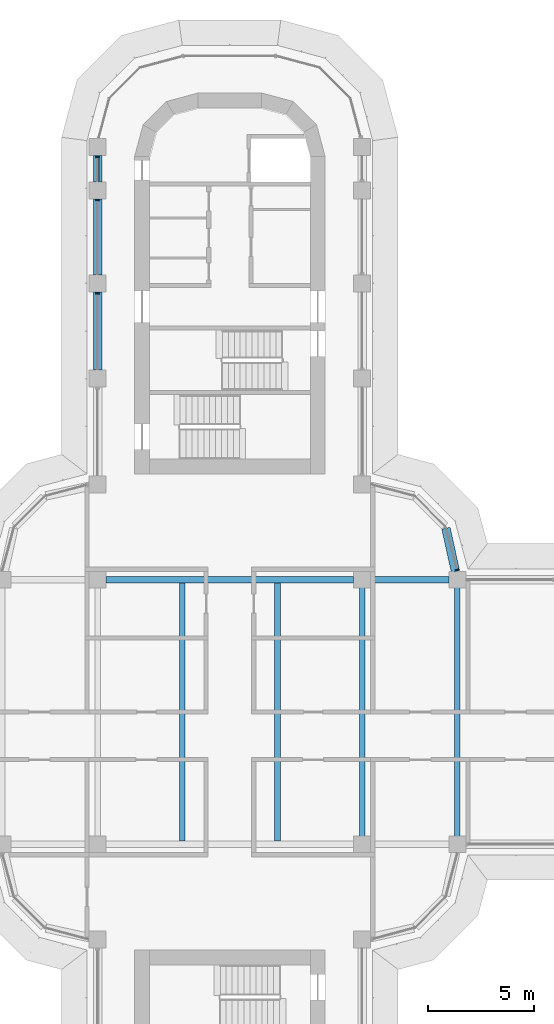
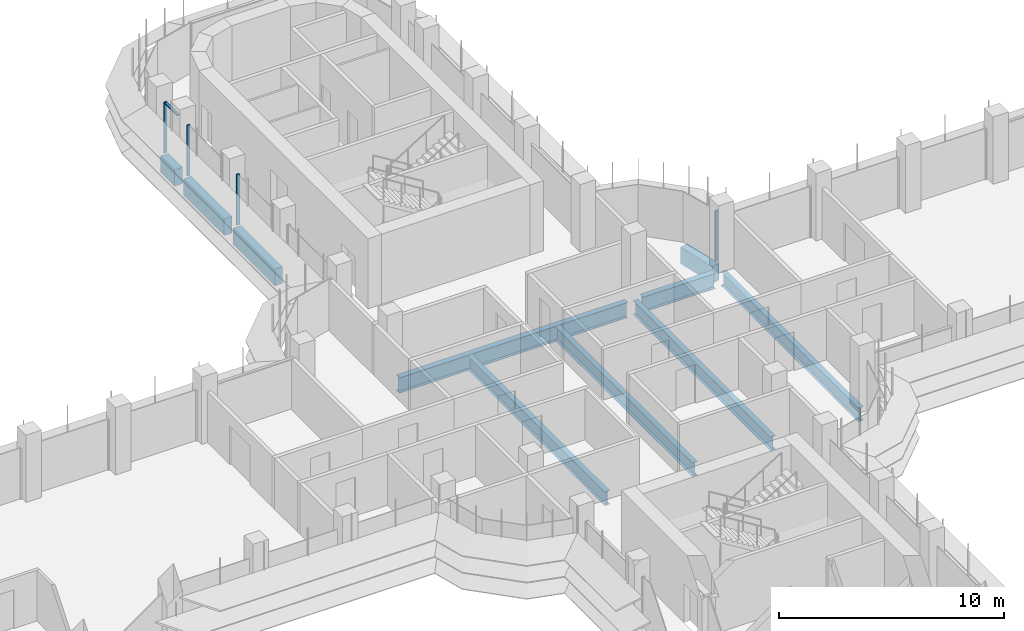
# One storey, part 7 of 19: 10 beams, 5 members, 2 elements without a shape of their own.
"""IFC4 building model written with IfcOpenShell, lengths in metres."""

from ifc_helpers import new_model, si_unit, direction, frame, origin, origin_2d, place, context, subcontext, project, spatial, polyline, rectangle, i_section, outline, extrude, source, transform, mapped, material, material_profile, profile_set, type_object, element, aggregate, save


model = new_model("IFC4")

# Units and contexts
model_context = context("Model", 3, precision=1e-05, world=origin(), true_north=direction((0.0, 1.0)))
body_context = subcontext(model_context, "Body", "Model", "MODEL_VIEW")
ifc_project = project(units=[si_unit("LENGTHUNIT", "METRE"), si_unit("AREAUNIT", "SQUARE_METRE"), si_unit("VOLUMEUNIT", "CUBIC_METRE"), si_unit("PLANEANGLEUNIT", "RADIAN"), si_unit("MASSUNIT", "GRAM", prefix="KILO")], contexts=[model_context])

# Site, building, storey
site_placement = place(None, origin())
site = spatial("IfcSite", under=ifc_project, at=site_placement, CompositionType="ELEMENT")
building_placement = place(site_placement, origin())
building = spatial("IfcBuilding", under=site, at=building_placement, Name="Zarbagh Exchange Tower", CompositionType="ELEMENT")
storey_placement = place(building_placement, frame((0.0, 0.0, 160.0)))
storey = spatial("IfcBuildingStorey", under=building, at=storey_placement, Name="L38", CompositionType="ELEMENT", Elevation=160.0)

# Beams
ifc_material_1 = material(Name="Steel ASTM A992 Gr 50", Category="steel")
ifc_material_profile_1 = material_profile(ifc_material_1, i_section(OverallWidth=0.26416015625, OverallDepth=0.749267578125, WebThickness=0.011962890625, FlangeThickness=0.015380859375, at=origin_2d()), Name="W30X90")
ifc_profile_set_1 = profile_set([ifc_material_profile_1], Name="Steel ASTM A992 Gr 50")
beam_type_1 = type_object("IfcBeamType", Name="Floor beam W30X90", PredefinedType="BEAM", material=ifc_profile_set_1)
for number, where, z_axis, x_axis, name in (
    (1, (-2.25, -6.10400390625, -0.524658203125), (0.0, 1.0, 0.0), (-1.0, 0.0, 0.0), "Steel floor beam"),
    (2, (2.25, -6.10400390625, -0.524658203125), (0.0, 1.0, 0.0), (-1.0, 0.0, 0.0), "Steel floor beam"),
    (3, (6.25, -6.10400390625, -0.524658203125), (0.0, 1.0, 0.0), (-1.0, 0.0, 0.0), "Steel floor beam"),
    (4, (10.75, -6.10400390625, -0.524658203125), (0.0, 1.0, 0.0), (-1.0, 0.0, 0.0), "Steel floor beam"),
):
    element("IfcBeam", number, at=place(storey_placement, frame(where, z_axis=z_axis, x_axis=x_axis)), inside=storey, type_object=beam_type_1, Name=name, PredefinedType="BEAM", context=body_context, shape_type="SweptSolid", body=[
        extrude(i_section(OverallWidth=0.26416015625, OverallDepth=0.749267578125, WebThickness=0.011962890625, FlangeThickness=0.015380859375, at=origin_2d()), origin(), (0.0, 0.0, 1.0), 12.2080078125),
    ])
ifc_material_profile_2 = material_profile(ifc_material_1, i_section(OverallWidth=0.2919921875, OverallDepth=0.835693359375, WebThickness=0.013916015625, FlangeThickness=0.018798828125, at=origin_2d()), Name="W33X118")
ifc_profile_set_2 = profile_set([ifc_material_profile_2], Name="Steel ASTM A992 Gr 50")
beam_type_2 = type_object("IfcBeamType", Name="Floor girder W33X118", PredefinedType="BEAM", material=ifc_profile_set_2)
beam_1_placement = place(storey_placement, frame((-5.85009765625, 6.25, -0.56787109375), z_axis=(1.0, 0.0, 0.0), x_axis=(0.0, 1.0, 0.0)))
element("IfcBeam", 5, at=beam_1_placement, inside=storey, type_object=beam_type_2, Name="Steel girder", PredefinedType="BEAM", context=body_context, shape_type="SweptSolid", body=[
    extrude(i_section(OverallWidth=0.2919921875, OverallDepth=0.835693359375, WebThickness=0.013916015625, FlangeThickness=0.018798828125, at=origin_2d()), origin(), (0.0, 0.0, 1.0), 11.7001953125),
])
beam_2_placement = place(storey_placement, frame((6.64990234375, 6.25, -0.56787109375), z_axis=(1.0, 0.0, 0.0), x_axis=(0.0, 1.0, 0.0)))
element("IfcBeam", 6, at=beam_2_placement, inside=storey, type_object=beam_type_2, Name="Steel girder", PredefinedType="BEAM", context=body_context, shape_type="SweptSolid", body=[
    extrude(i_section(OverallWidth=0.2919921875, OverallDepth=0.835693359375, WebThickness=0.013916015625, FlangeThickness=0.018798828125, at=origin_2d()), origin(), (0.0, 0.0, 1.0), 3.7001953125),
])
ifc_material_2 = material(Name="Concrete C50/60", Category="concrete")
ifc_material_profile_3 = material_profile(ifc_material_2, rectangle(XDim=0.39990234375, YDim=0.89990234375, at=origin_2d()), Name="RC spandrel beam 400 x 900 C50/60")
ifc_profile_set_3 = profile_set([ifc_material_profile_3], Name="Concrete C50/60")
beam_type_3 = type_object("IfcBeamType", Name="RC spandrel beam 400 x 900 C50/60", PredefinedType="SPANDREL", material=ifc_profile_set_3)
beam_3_placement = place(storey_placement, frame((-6.25, 16.14990234375, -0.60009765625), z_axis=(0.0, 1.0, 0.0), x_axis=(-1.0, 0.0, 0.0)))
element("IfcBeam", 7, at=beam_3_placement, inside=storey, type_object=beam_type_3, Name="RC spandrel beam", PredefinedType="SPANDREL", context=body_context, shape_type="SweptSolid", body=[
    extrude(rectangle(XDim=0.39990234375, YDim=0.89990234375, at=origin_2d()), origin(), (0.0, 0.0, 1.0), 3.7001953125),
])
beam_4_placement = place(storey_placement, frame((-6.25, 20.64990234375, -0.60009765625), z_axis=(0.0, 1.0, 0.0), x_axis=(-1.0, 0.0, 0.0)))
element("IfcBeam", 8, at=beam_4_placement, inside=storey, type_object=beam_type_3, Name="RC spandrel beam", PredefinedType="SPANDREL", context=body_context, shape_type="SweptSolid", body=[
    extrude(rectangle(XDim=0.39990234375, YDim=0.89990234375, at=origin_2d()), origin(), (0.0, 0.0, 1.0), 3.60009765625),
])
beam_5_placement = place(storey_placement, frame((-6.25, 25.050048828125, -0.60009765625), z_axis=(0.0, 1.0, 0.0), x_axis=(-1.0, 0.0, 0.0)))
element("IfcBeam", 9, at=beam_5_placement, inside=storey, type_object=beam_type_3, Name="RC spandrel beam", PredefinedType="SPANDREL", context=body_context, shape_type="SweptSolid", body=[
    extrude(rectangle(XDim=0.39990234375, YDim=0.89990234375, at=origin_2d()), origin(), (0.0, 0.0, 1.0), 1.25),
])
beam_6_placement = place(storey_placement, frame((10.21142578125, 8.68408203125, -0.60009765625), z_axis=(0.216041061437, -0.976384278741, 0.0), x_axis=(0.976384278741, 0.216041061437, 0.0)))
element("IfcBeam", 10, at=beam_6_placement, inside=storey, type_object=beam_type_3, Name="RC spandrel beam", PredefinedType="SPANDREL", context=body_context, shape_type="SweptSolid", body=[
    extrude(rectangle(XDim=0.39990234375, YDim=0.89990234375, at=origin_2d()), origin(), (0.0, 0.0, 1.0), 2.0927734375),
])

# Curtain wall, member
ifc_material_3 = material(Name="Anodised aluminium frame and glazing", Category="aluminium")
curtain_wall_type = type_object("IfcCurtainWallType", Name="CWB Ribbon glazing, upper zones", PredefinedType="NOTDEFINED", material=ifc_material_3)
curtain_wall_1_placement = place(storey_placement, origin())
curtain_wall_1 = element("IfcCurtainWall", 11, at=curtain_wall_1_placement, inside=storey, type_object=curtain_wall_type, Name="CWB17 curtain wall", PredefinedType="NOTDEFINED")
ifc_material_4 = material(Name="Anodised aluminium frame", Category="aluminium")
member_type_1 = type_object("IfcMemberType", Name="MUB Mullion, anodised aluminium frame", PredefinedType="MULLION", material=ifc_material_4)
shared_shape_1 = source(origin(), body_context, "Body", "SweptSolid", [
    extrude(outline(polyline([(0.0, -0.080078125), (0.06005859375, -0.080078125), (0.06005859375, 0.080078125), (0.0, 0.080078125), (0.0, -0.080078125)])), origin(), (0.0, 0.0, 1.0), 2.75),
])
placement = place(storey_placement, origin())
member_1 = element("IfcMember", 12, at=placement, type_object=member_type_1, Name="CWB17 mullion 1.1", PredefinedType="MULLION", context=body_context, shape_type="MappedRepresentation", body=[
    mapped(shared_shape_1, transform((10.74853515625, 6.68994140625, 0.0), x_axis=(-0.258824779902, 0.965924289636, 0.0), y_axis=(-0.965924289636, -0.258824779902, 0.0), z_axis=(0.0, 0.0, 1.0))),
])
aggregate(curtain_wall_1, [member_1])

# Curtain wall, members
curtain_wall_2_placement = place(storey_placement, origin())
curtain_wall_2 = element("IfcCurtainWall", 13, at=curtain_wall_2_placement, inside=storey, type_object=curtain_wall_type, Name="CWB28 curtain wall", PredefinedType="NOTDEFINED")
member_2 = element("IfcMember", 14, at=placement, type_object=member_type_1, Name="CWB28 mullion 1.1", PredefinedType="MULLION", context=body_context, shape_type="MappedRepresentation", body=[
    mapped(shared_shape_1, transform((-6.25, 26.260009765625, 0.0), x_axis=(0.0, -1.0, 0.0), y_axis=(1.0, 0.0, 0.0), z_axis=(0.0, 0.0, 1.0))),
])
member_3 = element("IfcMember", 15, at=placement, type_object=member_type_1, Name="CWB28 mullion 2.1", PredefinedType="MULLION", context=body_context, shape_type="MappedRepresentation", body=[
    mapped(shared_shape_1, transform((-6.25, 24.2099609375, 0.0), x_axis=(0.0, -1.0, 0.0), y_axis=(1.0, 0.0, 0.0), z_axis=(0.0, 0.0, 1.0))),
])
member_4 = element("IfcMember", 16, at=placement, type_object=member_type_1, Name="CWB28 mullion 3.1", PredefinedType="MULLION", context=body_context, shape_type="MappedRepresentation", body=[
    mapped(shared_shape_1, transform((-6.25, 19.81005859375, 0.0), x_axis=(0.0, -1.0, 0.0), y_axis=(1.0, 0.0, 0.0), z_axis=(0.0, 0.0, 1.0))),
])
member_type_2 = type_object("IfcMemberType", Name="TRB Transom, anodised aluminium frame", PredefinedType="USERDEFINED", material=ifc_material_4)
shared_shape_2 = source(origin(), body_context, "Body", "SweptSolid", [
    extrude(outline(polyline([(-0.06005859375, -0.06005859375), (0.0, -0.06005859375), (0.0, 0.06005859375), (-0.06005859375, 0.06005859375), (-0.06005859375, -0.06005859375)])), origin(), (0.0, 0.0, 1.0), 1.110107421875),
])
member_5 = element("IfcMember", 17, at=placement, type_object=member_type_2, Name="CWB28 transom 1.1", ObjectType="TRANSOM", PredefinedType="USERDEFINED", context=body_context, shape_type="MappedRepresentation", body=[
    mapped(shared_shape_2, transform((-6.25, 26.199951171875, 2.75), x_axis=(0.0, 0.0, 1.0), y_axis=(-1.0, 0.0, 0.0), z_axis=(0.0, -1.0, 0.0))),
])
aggregate(curtain_wall_2, [member_2, member_5, member_3, member_4])

save(model, "model.ifc")
